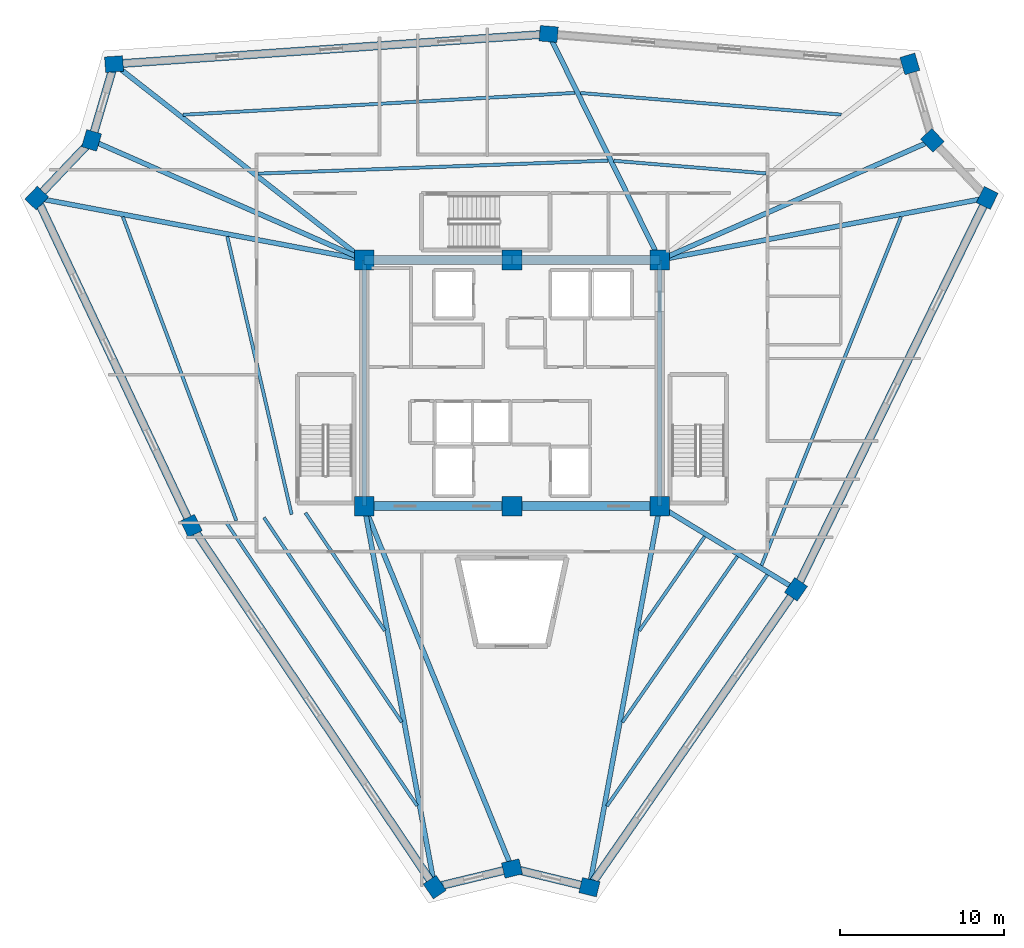
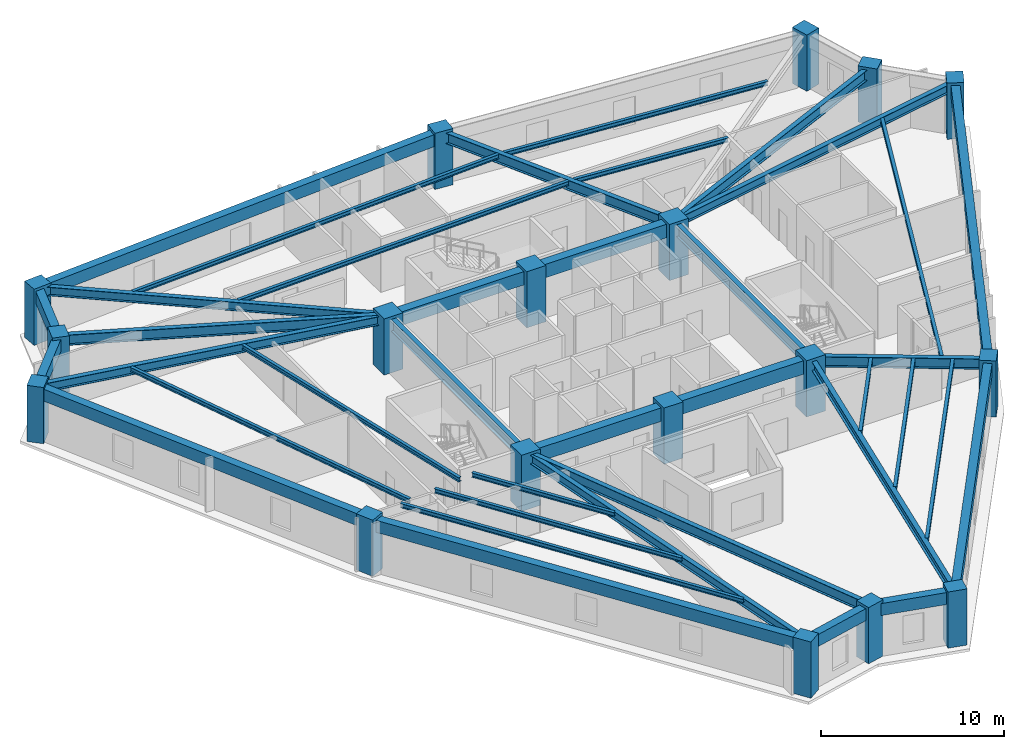
# One storey, part 1 of 8: 38 beams, 18 columns.
"""IFC4 building model written with IfcOpenShell, lengths in metres."""

from ifc_helpers import new_model, si_unit, direction, frame, origin, origin_2d, place, context, subcontext, project, spatial, rectangle, i_section, extrude, source, transform, mapped, material, material_profile, profile_set, type_object, element, save


model = new_model("IFC4")

# Units and contexts
model_context = context("Model", 3, precision=1e-05, world=origin(), true_north=direction((0.0, 1.0)))
body_context = subcontext(model_context, "Body", "Model", "MODEL_VIEW")
ifc_project = project(units=[si_unit("LENGTHUNIT", "METRE"), si_unit("AREAUNIT", "SQUARE_METRE"), si_unit("VOLUMEUNIT", "CUBIC_METRE"), si_unit("PLANEANGLEUNIT", "RADIAN"), si_unit("MASSUNIT", "GRAM", prefix="KILO")], contexts=[model_context])

# Site, building, storey
site_placement = place(None, origin())
site = spatial("IfcSite", under=ifc_project, at=site_placement, CompositionType="ELEMENT")
building_placement = place(site_placement, origin())
building = spatial("IfcBuilding", under=site, at=building_placement, Name="Liaohun Quay Tower", CompositionType="ELEMENT")
storey_placement = place(building_placement, frame((0.0, 0.0, 343.5)))
storey = spatial("IfcBuildingStorey", under=building, at=storey_placement, Name="L89", CompositionType="ELEMENT", Elevation=343.5)

# Columns
ifc_material_1 = material(Name="Concrete C50", Category="concrete")
ifc_material_profile_1 = material_profile(ifc_material_1, rectangle(XDim=1.199951171875, YDim=1.199951171875, at=origin_2d()), Name="RC1200x1200")
ifc_profile_set_1 = profile_set([ifc_material_profile_1], Name="Concrete C50")
column_type_1 = type_object("IfcColumnType", Name="COL-CC-Z4", PredefinedType="COLUMN", material=ifc_profile_set_1)
shared_shape_1 = source(origin(), body_context, "Body", "SweptSolid", [
    extrude(rectangle(XDim=1.199951171875, YDim=1.199951171875, at=origin_2d()), origin(), (0.0, 0.0, 1.0), 3.75),
])
for number, where, z_axis, x_axis, name in (
    (1, (51.0, 46.5, 0.0), (0.0, 0.0, 1.0), (1.0, 0.0, 0.0), "L89 Core Column CC1"),
    (2, (60.0, 46.5, 0.0), (0.0, 0.0, 1.0), (1.0, 0.0, 0.0), "L89 Core Column CC2"),
    (3, (69.0, 46.5, 0.0), (0.0, 0.0, 1.0), (1.0, 0.0, 0.0), "L89 Core Column CC3"),
    (4, (69.0, 61.5, 0.0), (0.0, 0.0, 1.0), (1.0, 0.0, 0.0), "L89 Core Column CC4"),
    (5, (60.0, 61.5, 0.0), (0.0, 0.0, 1.0), (1.0, 0.0, 0.0), "L89 Core Column CC5"),
    (6, (51.0, 61.5, 0.0), (0.0, 0.0, 1.0), (1.0, 0.0, 0.0), "L89 Core Column CC6"),
):
    element("IfcColumn", number, at=place(storey_placement, frame(where, z_axis=z_axis, x_axis=x_axis)), inside=storey, type_object=column_type_1, Name=name, PredefinedType="COLUMN", context=body_context, shape_type="MappedRepresentation", body=[
        mapped(shared_shape_1, transform((0.0, 0.0, 0.0), x_axis=(1.0, 0.0, 0.0), y_axis=(0.0, 1.0, 0.0), z_axis=(0.0, 0.0, 1.0), scale=1.0)),
    ])
ifc_material_profile_2 = material_profile(ifc_material_1, rectangle(XDim=1.10009765625, YDim=0.949951171875, at=origin_2d()), Name="RC1100x950")
ifc_profile_set_2 = profile_set([ifc_material_profile_2], Name="Concrete C50")
column_type_2 = type_object("IfcColumnType", Name="COL-PIER-Z4", PredefinedType="COLUMN", material=ifc_profile_set_2)
shared_shape_2 = source(origin(), body_context, "Body", "SweptSolid", [
    extrude(rectangle(XDim=1.10009765625, YDim=0.949951171875, at=origin_2d()), origin(), (0.0, 0.0, 1.0), 3.75),
])
for number, where, z_axis, x_axis, name in (
    (7, (55.29296875, 23.2939453125, 0.0), (0.0, 0.0, 1.0), (-0.558613989835, 0.829427760785, 0.0), "L89 Perimeter Pier PC01"),
    (8, (40.468994140625, 45.302978515625, 0.0), (0.0, 0.0, 1.0), (-0.426726590606, 0.904380681389, 0.0), "L89 Perimeter Pier PC02"),
    (9, (31.048095703125, 65.27001953125, 0.0), (0.0, 0.0, 1.0), (0.689493141399, 0.724292211723, 0.0), "L89 Perimeter Pier PC03"),
    (10, (34.39306640625, 68.783935546875, 0.0), (0.0, 0.0, 1.0), (0.282676303383, 0.959215360337, 0.0), "L89 Perimeter Pier PC04"),
    (11, (35.761962890625, 73.429931640625, 0.0), (0.0, 0.0, 1.0), (0.997612506361, 0.069060025714, 0.0), "L89 Perimeter Pier PC05"),
    (12, (62.23388671875, 75.262939453125, 0.0), (0.0, 0.0, 1.0), (-0.996579940078, 0.08263427276, 0.0), "L89 Perimeter Pier PC06"),
    (13, (84.235107421875, 73.43798828125, 0.0), (0.0, 0.0, 1.0), (-0.282676303383, 0.959215360337, 0.0), "L89 Perimeter Pier PC07"),
    (14, (85.60693359375, 68.783935546875, 0.0), (0.0, 0.0, 1.0), (-0.689493141399, 0.724292211723, 0.0), "L89 Perimeter Pier PC08"),
    (15, (88.946044921875, 65.27587890625, 0.0), (0.0, 0.0, 1.0), (0.438998516526, 0.898487786499, 0.0), "L89 Perimeter Pier PC09"),
    (16, (77.297119140625, 41.43408203125, 0.0), (0.0, 0.0, 1.0), (0.569853349472, 0.82174640863, 0.0), "L89 Perimeter Pier PC10"),
    (17, (64.715087890625, 23.2919921875, 0.0), (0.0, 0.0, 1.0), (-0.972043021443, 0.234802820391, 0.0), "L89 Perimeter Pier PC11"),
    (18, (60.0, 24.430908203125, 0.0), (0.0, 0.0, 1.0), (0.972043021443, 0.234802820391, 0.0), "L89 Perimeter Pier PC12"),
):
    element("IfcColumn", number, at=place(storey_placement, frame(where, z_axis=z_axis, x_axis=x_axis)), inside=storey, type_object=column_type_2, Name=name, PredefinedType="COLUMN", context=body_context, shape_type="MappedRepresentation", body=[
        mapped(shared_shape_2, transform((0.0, 0.0, 0.0), x_axis=(1.0, 0.0, 0.0), y_axis=(0.0, 1.0, 0.0), z_axis=(0.0, 0.0, 1.0), scale=1.0)),
    ])

# Beams
ifc_material_2 = material(Name="Steel Q355D", Category="steel")
ifc_material_profile_3 = material_profile(ifc_material_2, i_section(OverallWidth=0.300048828125, OverallDepth=0.800048828125, WebThickness=0.013916015625, FlangeThickness=0.02587890625, at=origin_2d()), Name="HN800x300x14x26")
ifc_profile_set_3 = profile_set([ifc_material_profile_3], Name="Steel Q355D")
beam_type_1 = type_object("IfcBeamType", Name="BM-RAD-M1", PredefinedType="BEAM", material=ifc_profile_set_3)
shared_shape_3 = source(origin(), body_context, "Body", "SweptSolid", [
    extrude(i_section(OverallWidth=0.300048828125, OverallDepth=0.800048828125, WebThickness=0.013916015625, FlangeThickness=0.02587890625, at=origin_2d()), origin(), (0.0, 0.0, 1.0), 15.0),
])
for number, where, z_axis, x_axis, name in (
    (19, (69.0, 46.5, 3.169921875), (0.0, 1.0, 0.0), (-1.0, 0.0, 0.0), "L89 Core Coupling/Ring Beam CC3-CC4"),
    (20, (51.0, 61.5, 3.169921875), (0.0, -1.0, 0.0), (1.0, 0.0, 0.0), "L89 Core Coupling/Ring Beam CC6-CC1"),
):
    element("IfcBeam", number, at=place(storey_placement, frame(where, z_axis=z_axis, x_axis=x_axis)), inside=storey, type_object=beam_type_1, Name=name, PredefinedType="BEAM", context=body_context, shape_type="MappedRepresentation", body=[
        mapped(shared_shape_3, transform((0.0, 0.0, 0.0), x_axis=(1.0, 0.0, 0.0), y_axis=(0.0, 1.0, 0.0), z_axis=(0.0, 0.0, 1.0), scale=1.0)),
    ])
ifc_material_3 = material(Name="Concrete C55", Category="concrete")
ifc_material_profile_4 = material_profile(ifc_material_3, rectangle(XDim=0.550048828125, YDim=0.89990234375, at=origin_2d()), Name="RC550x900")
ifc_profile_set_4 = profile_set([ifc_material_profile_4], Name="Concrete C55")
beam_type_2 = type_object("IfcBeamType", Name="BM-CPL-2", PredefinedType="LINTEL", material=ifc_profile_set_4)
shared_shape_4 = source(origin(), body_context, "Body", "SweptSolid", [
    extrude(rectangle(XDim=0.550048828125, YDim=0.89990234375, at=origin_2d()), origin(), (0.0, 0.0, 1.0), 9.0),
])
for number, where, z_axis, x_axis, name in (
    (21, (51.0, 46.5, 3.1201171875), (1.0, 0.0, 0.0), (0.0, 1.0, 0.0), "L89 Core Coupling/Ring Beam CC1-CC2"),
    (22, (60.0, 46.5, 3.1201171875), (1.0, 0.0, 0.0), (0.0, 1.0, 0.0), "L89 Core Coupling/Ring Beam CC2-CC3"),
    (23, (69.0, 61.5, 3.1201171875), (-1.0, 0.0, 0.0), (0.0, -1.0, 0.0), "L89 Core Coupling/Ring Beam CC4-CC5"),
    (24, (60.0, 61.5, 3.1201171875), (-1.0, 0.0, 0.0), (0.0, -1.0, 0.0), "L89 Core Coupling/Ring Beam CC5-CC6"),
):
    element("IfcBeam", number, at=place(storey_placement, frame(where, z_axis=z_axis, x_axis=x_axis)), inside=storey, type_object=beam_type_2, Name=name, PredefinedType="LINTEL", context=body_context, shape_type="MappedRepresentation", body=[
        mapped(shared_shape_4, transform((0.0, 0.0, 0.0), x_axis=(1.0, 0.0, 0.0), y_axis=(0.0, 1.0, 0.0), z_axis=(0.0, 0.0, 1.0), scale=1.0)),
    ])
ifc_material_profile_5 = material_profile(ifc_material_2, i_section(OverallWidth=0.300048828125, OverallDepth=0.587890625, WebThickness=0.011962890625, FlangeThickness=0.02001953125, at=origin_2d()), Name="HM588x300x12x20")
ifc_profile_set_5 = profile_set([ifc_material_profile_5], Name="Steel Q355D")
beam_type_3 = type_object("IfcBeamType", Name="BM-RAD-U2", PredefinedType="BEAM", material=ifc_profile_set_5)
shared_shape_5 = source(origin(), body_context, "Body", "SweptSolid", [
    extrude(i_section(OverallWidth=0.300048828125, OverallDepth=0.587890625, WebThickness=0.011962890625, FlangeThickness=0.02001953125, at=origin_2d()), origin(), (0.0, 0.0, 1.0), 23.599853515625),
])
beam_1_placement = place(storey_placement, frame((51.0, 46.5, 3.27587890625), z_axis=(0.181906997941, -0.98331573978, 0.0), x_axis=(0.98331573978, 0.181906997941, 0.0)))
element("IfcBeam", 25, at=beam_1_placement, inside=storey, type_object=beam_type_3, Name="L89 Radial Primary Girder CC1-PC01", PredefinedType="BEAM", context=body_context, shape_type="MappedRepresentation", body=[
    mapped(shared_shape_5, transform((0.0, 0.0, 0.0), x_axis=(1.0, 0.0, 0.0), y_axis=(0.0, 1.0, 0.0), z_axis=(0.0, 0.0, 1.0), scale=1.0)),
])
shared_shape_6 = source(origin(), body_context, "Body", "SweptSolid", [
    extrude(i_section(OverallWidth=0.300048828125, OverallDepth=0.587890625, WebThickness=0.011962890625, FlangeThickness=0.02001953125, at=origin_2d()), origin(), (0.0, 0.0, 1.0), 20.304931640625),
])
beam_2_placement = place(storey_placement, frame((51.0, 61.5, 3.27587890625), z_axis=(-0.982612184872, 0.185669852536, 0.0), x_axis=(-0.185669852536, -0.982612184872, 0.0)))
element("IfcBeam", 26, at=beam_2_placement, inside=storey, type_object=beam_type_3, Name="L89 Radial Primary Girder CC6-PC03", PredefinedType="BEAM", context=body_context, shape_type="MappedRepresentation", body=[
    mapped(shared_shape_6, transform((0.0, 0.0, 0.0), x_axis=(1.0, 0.0, 0.0), y_axis=(0.0, 1.0, 0.0), z_axis=(0.0, 0.0, 1.0), scale=1.0)),
])
ifc_material_profile_6 = material_profile(ifc_material_2, i_section(OverallWidth=0.300048828125, OverallDepth=0.699951171875, WebThickness=0.012939453125, FlangeThickness=0.02392578125, at=origin_2d()), Name="HN700x300x13x24")
ifc_profile_set_6 = profile_set([ifc_material_profile_6], Name="Steel Q355D")
beam_type_4 = type_object("IfcBeamType", Name="BM-RAD-U1", PredefinedType="BEAM", material=ifc_profile_set_6)
shared_shape_7 = source(origin(), body_context, "Body", "SweptSolid", [
    extrude(i_section(OverallWidth=0.300048828125, OverallDepth=0.699951171875, WebThickness=0.012939453125, FlangeThickness=0.02392578125, at=origin_2d()), origin(), (0.0, 0.0, 1.0), 18.134033203125),
])
for number, where, z_axis, x_axis, name in (
    (27, (51.0, 61.5, 3.219970703125), (-0.915784299111, 0.401670409044, 0.0), (-0.401670409044, -0.915784299111, 0.0), "L89 Radial Primary Girder CC6-PC04"),
    (28, (69.0, 61.5, 3.219970703125), (0.915784299111, 0.401670409044, 0.0), (-0.401670409044, 0.915784299111, 0.0), "L89 Radial Primary Girder CC4-PC08"),
):
    element("IfcBeam", number, at=place(storey_placement, frame(where, z_axis=z_axis, x_axis=x_axis)), inside=storey, type_object=beam_type_4, Name=name, PredefinedType="BEAM", context=body_context, shape_type="MappedRepresentation", body=[
        mapped(shared_shape_7, transform((0.0, 0.0, 0.0), x_axis=(1.0, 0.0, 0.0), y_axis=(0.0, 1.0, 0.0), z_axis=(0.0, 0.0, 1.0), scale=1.0)),
    ])
shared_shape_8 = source(origin(), body_context, "Body", "SweptSolid", [
    extrude(i_section(OverallWidth=0.300048828125, OverallDepth=0.587890625, WebThickness=0.011962890625, FlangeThickness=0.02001953125, at=origin_2d()), origin(), (0.0, 0.0, 1.0), 19.3525390625),
])
beam_3_placement = place(storey_placement, frame((51.0, 61.5, 3.27587890625), z_axis=(-0.787391848215, 0.616452818442, 0.0), x_axis=(-0.616452818442, -0.787391848215, 0.0)))
element("IfcBeam", 29, at=beam_3_placement, inside=storey, type_object=beam_type_3, Name="L89 Radial Primary Girder CC6-PC05", PredefinedType="BEAM", context=body_context, shape_type="MappedRepresentation", body=[
    mapped(shared_shape_8, transform((0.0, 0.0, 0.0), x_axis=(1.0, 0.0, 0.0), y_axis=(0.0, 1.0, 0.0), z_axis=(0.0, 0.0, 1.0), scale=1.0)),
])
shared_shape_9 = source(origin(), body_context, "Body", "SweptSolid", [
    extrude(i_section(OverallWidth=0.300048828125, OverallDepth=0.699951171875, WebThickness=0.012939453125, FlangeThickness=0.02392578125, at=origin_2d()), origin(), (0.0, 0.0, 1.0), 15.336181640625),
])
beam_4_placement = place(storey_placement, frame((69.0, 61.5, 3.219970703125), z_axis=(-0.441185999181, 0.897415686361, 0.0), x_axis=(-0.897415686361, -0.441185999181, 0.0)))
element("IfcBeam", 30, at=beam_4_placement, inside=storey, type_object=beam_type_4, Name="L89 Radial Primary Girder CC4-PC06", PredefinedType="BEAM", context=body_context, shape_type="MappedRepresentation", body=[
    mapped(shared_shape_9, transform((0.0, 0.0, 0.0), x_axis=(1.0, 0.0, 0.0), y_axis=(0.0, 1.0, 0.0), z_axis=(0.0, 0.0, 1.0), scale=1.0)),
])
shared_shape_10 = source(origin(), body_context, "Body", "SweptSolid", [
    extrude(i_section(OverallWidth=0.300048828125, OverallDepth=0.587890625, WebThickness=0.011962890625, FlangeThickness=0.02001953125, at=origin_2d()), origin(), (0.0, 0.0, 1.0), 20.30029296875),
])
beam_5_placement = place(storey_placement, frame((69.0, 61.5, 3.27587890625), z_axis=(0.982549519823, 0.186001185738, 0.0), x_axis=(-0.186001185738, 0.982549519823, 0.0)))
element("IfcBeam", 31, at=beam_5_placement, inside=storey, type_object=beam_type_3, Name="L89 Radial Primary Girder CC4-PC09", PredefinedType="BEAM", context=body_context, shape_type="MappedRepresentation", body=[
    mapped(shared_shape_10, transform((0.0, 0.0, 0.0), x_axis=(1.0, 0.0, 0.0), y_axis=(0.0, 1.0, 0.0), z_axis=(0.0, 0.0, 1.0), scale=1.0)),
])
shared_shape_11 = source(origin(), body_context, "Body", "SweptSolid", [
    extrude(i_section(OverallWidth=0.300048828125, OverallDepth=0.699951171875, WebThickness=0.012939453125, FlangeThickness=0.02392578125, at=origin_2d()), origin(), (0.0, 0.0, 1.0), 9.721435546875),
])
beam_6_placement = place(storey_placement, frame((69.0, 46.5, 3.219970703125), z_axis=(0.853489729957, -0.521109662987, 0.0), x_axis=(0.521109662987, 0.853489729957, 0.0)))
element("IfcBeam", 32, at=beam_6_placement, inside=storey, type_object=beam_type_4, Name="L89 Radial Primary Girder CC3-PC10", PredefinedType="BEAM", context=body_context, shape_type="MappedRepresentation", body=[
    mapped(shared_shape_11, transform((0.0, 0.0, 0.0), x_axis=(1.0, 0.0, 0.0), y_axis=(0.0, 1.0, 0.0), z_axis=(0.0, 0.0, 1.0), scale=1.0)),
])
shared_shape_12 = source(origin(), body_context, "Body", "SweptSolid", [
    extrude(i_section(OverallWidth=0.300048828125, OverallDepth=0.587890625, WebThickness=0.011962890625, FlangeThickness=0.02001953125, at=origin_2d()), origin(), (0.0, 0.0, 1.0), 23.600341796875),
])
beam_7_placement = place(storey_placement, frame((69.0, 46.5, 3.27587890625), z_axis=(-0.181562100476, -0.98337948101, 0.0), x_axis=(0.98337948101, -0.181562100476, 0.0)))
element("IfcBeam", 33, at=beam_7_placement, inside=storey, type_object=beam_type_3, Name="L89 Radial Primary Girder CC3-PC11", PredefinedType="BEAM", context=body_context, shape_type="MappedRepresentation", body=[
    mapped(shared_shape_12, transform((0.0, 0.0, 0.0), x_axis=(1.0, 0.0, 0.0), y_axis=(0.0, 1.0, 0.0), z_axis=(0.0, 0.0, 1.0), scale=1.0)),
])
shared_shape_13 = source(origin(), body_context, "Body", "SweptSolid", [
    extrude(i_section(OverallWidth=0.300048828125, OverallDepth=0.699951171875, WebThickness=0.012939453125, FlangeThickness=0.02392578125, at=origin_2d()), origin(), (0.0, 0.0, 1.0), 23.833740234375),
])
beam_8_placement = place(storey_placement, frame((51.0, 46.5, 3.219970703125), z_axis=(0.377616715366, -0.92596199505, 0.0), x_axis=(0.92596199505, 0.377616715366, 0.0)))
element("IfcBeam", 34, at=beam_8_placement, inside=storey, type_object=beam_type_4, Name="L89 Radial Primary Girder CC1-PC12", PredefinedType="BEAM", context=body_context, shape_type="MappedRepresentation", body=[
    mapped(shared_shape_13, transform((0.0, 0.0, 0.0), x_axis=(1.0, 0.0, 0.0), y_axis=(0.0, 1.0, 0.0), z_axis=(0.0, 0.0, 1.0), scale=1.0)),
])
ifc_material_profile_7 = material_profile(ifc_material_2, i_section(OverallWidth=0.199951171875, OverallDepth=0.2939453125, WebThickness=0.008056640625, FlangeThickness=0.011962890625, at=origin_2d()), Name="HM294x200x8x12")
ifc_profile_set_7 = profile_set([ifc_material_profile_7], Name="Steel Q355D")
beam_type_5 = type_object("IfcBeamType", Name="BM-SEC-J4", PredefinedType="JOIST", material=ifc_profile_set_7)
shared_shape_14 = source(origin(), body_context, "Body", "SweptSolid", [
    extrude(i_section(OverallWidth=0.199951171875, OverallDepth=0.2939453125, WebThickness=0.008056640625, FlangeThickness=0.011962890625, at=origin_2d()), origin(), (0.0, 0.0, 1.0), 8.64599609375),
])
beam_9_placement = place(storey_placement, frame((52.2490234375, 38.922119140625, 3.423095703125), z_axis=(-0.558655882826, 0.8293995446, 0.0), x_axis=(-0.8293995446, -0.558655882826, 0.0)))
element("IfcBeam", 35, at=beam_9_placement, inside=storey, type_object=beam_type_5, Name="L89 Wing Secondary Floor Joist SJ-01", PredefinedType="JOIST", context=body_context, shape_type="MappedRepresentation", body=[
    mapped(shared_shape_14, transform((0.0, 0.0, 0.0), x_axis=(1.0, 0.0, 0.0), y_axis=(0.0, 1.0, 0.0), z_axis=(0.0, 0.0, 1.0), scale=1.0)),
])
shared_shape_15 = source(origin(), body_context, "Body", "SweptSolid", [
    extrude(i_section(OverallWidth=0.199951171875, OverallDepth=0.2939453125, WebThickness=0.008056640625, FlangeThickness=0.011962890625, at=origin_2d()), origin(), (0.0, 0.0, 1.0), 15.014404296875),
])
beam_10_placement = place(storey_placement, frame((53.280029296875, 33.35302734375, 3.423095703125), z_axis=(-0.558660192246, 0.829396641903, 0.0), x_axis=(-0.829396641903, -0.558660192246, 0.0)))
element("IfcBeam", 36, at=beam_10_placement, inside=storey, type_object=beam_type_5, Name="L89 Wing Secondary Floor Joist SJ-02", PredefinedType="JOIST", context=body_context, shape_type="MappedRepresentation", body=[
    mapped(shared_shape_15, transform((0.0, 0.0, 0.0), x_axis=(1.0, 0.0, 0.0), y_axis=(0.0, 1.0, 0.0), z_axis=(0.0, 0.0, 1.0), scale=1.0)),
])
shared_shape_16 = source(origin(), body_context, "Body", "SweptSolid", [
    extrude(i_section(OverallWidth=0.199951171875, OverallDepth=0.2939453125, WebThickness=0.008056640625, FlangeThickness=0.011962890625, at=origin_2d()), origin(), (0.0, 0.0, 1.0), 20.852294921875),
])
beam_11_placement = place(storey_placement, frame((54.22412109375, 28.2470703125, 3.423095703125), z_axis=(-0.558652159072, 0.829402052785, 0.0), x_axis=(-0.829402052785, -0.558652159072, 0.0)))
element("IfcBeam", 37, at=beam_11_placement, inside=storey, type_object=beam_type_5, Name="L89 Wing Secondary Floor Joist SJ-03", PredefinedType="JOIST", context=body_context, shape_type="MappedRepresentation", body=[
    mapped(shared_shape_16, transform((0.0, 0.0, 0.0), x_axis=(1.0, 0.0, 0.0), y_axis=(0.0, 1.0, 0.0), z_axis=(0.0, 0.0, 1.0), scale=1.0)),
])
shared_shape_17 = source(origin(), body_context, "Body", "SweptSolid", [
    extrude(i_section(OverallWidth=0.199951171875, OverallDepth=0.2939453125, WebThickness=0.008056640625, FlangeThickness=0.011962890625, at=origin_2d()), origin(), (0.0, 0.0, 1.0), 17.375),
])
beam_12_placement = place(storey_placement, frame((46.576904296875, 45.9970703125, 3.423095703125), z_axis=(-0.225607553343, 0.974218267061, 0.0), x_axis=(-0.974218267061, -0.225607553343, 0.0)))
element("IfcBeam", 38, at=beam_12_placement, inside=storey, type_object=beam_type_5, Name="L89 Wing Secondary Floor Joist SJ-04", PredefinedType="JOIST", context=body_context, shape_type="MappedRepresentation", body=[
    mapped(shared_shape_17, transform((0.0, 0.0, 0.0), x_axis=(1.0, 0.0, 0.0), y_axis=(0.0, 1.0, 0.0), z_axis=(0.0, 0.0, 1.0), scale=1.0)),
])
shared_shape_18 = source(origin(), body_context, "Body", "SweptSolid", [
    extrude(i_section(OverallWidth=0.199951171875, OverallDepth=0.2939453125, WebThickness=0.008056640625, FlangeThickness=0.011962890625, at=origin_2d()), origin(), (0.0, 0.0, 1.0), 19.759521484375),
])
beam_13_placement = place(storey_placement, frame((43.20703125, 45.614013671875, 3.423095703125), z_axis=(-0.349699944184, 0.936861755564, 0.0), x_axis=(-0.936861755564, -0.349699944184, 0.0)))
element("IfcBeam", 39, at=beam_13_placement, inside=storey, type_object=beam_type_5, Name="L89 Wing Secondary Floor Joist SJ-05", PredefinedType="JOIST", context=body_context, shape_type="MappedRepresentation", body=[
    mapped(shared_shape_18, transform((0.0, 0.0, 0.0), x_axis=(1.0, 0.0, 0.0), y_axis=(0.0, 1.0, 0.0), z_axis=(0.0, 0.0, 1.0), scale=1.0)),
])
shared_shape_19 = source(origin(), body_context, "Body", "SweptSolid", [
    extrude(i_section(OverallWidth=0.199951171875, OverallDepth=0.2939453125, WebThickness=0.008056640625, FlangeThickness=0.011962890625, at=origin_2d()), origin(), (0.0, 0.0, 1.0), 21.345458984375),
])
beam_14_placement = place(storey_placement, frame((44.528076171875, 66.758056640625, 3.423095703125), z_axis=(0.999311429617, 0.037103458558, 0.0), x_axis=(-0.037103458558, 0.999311429617, 0.0)))
element("IfcBeam", 40, at=beam_14_placement, inside=storey, type_object=beam_type_5, Name="L89 Wing Secondary Floor Joist SJ-06", PredefinedType="JOIST", context=body_context, shape_type="MappedRepresentation", body=[
    mapped(shared_shape_19, transform((0.0, 0.0, 0.0), x_axis=(1.0, 0.0, 0.0), y_axis=(0.0, 1.0, 0.0), z_axis=(0.0, 0.0, 1.0), scale=1.0)),
])
shared_shape_20 = source(origin(), body_context, "Body", "SweptSolid", [
    extrude(i_section(OverallWidth=0.199951171875, OverallDepth=0.2939453125, WebThickness=0.008056640625, FlangeThickness=0.011962890625, at=origin_2d()), origin(), (0.0, 0.0, 1.0), 23.91650390625),
])
beam_15_placement = place(storey_placement, frame((39.950927734375, 70.341064453125, 3.423095703125), z_axis=(0.998440975857, 0.055817718778, 0.0), x_axis=(-0.055817718778, 0.998440975857, 0.0)))
element("IfcBeam", 41, at=beam_15_placement, inside=storey, type_object=beam_type_5, Name="L89 Wing Secondary Floor Joist SJ-07", PredefinedType="JOIST", context=body_context, shape_type="MappedRepresentation", body=[
    mapped(shared_shape_20, transform((0.0, 0.0, 0.0), x_axis=(1.0, 0.0, 0.0), y_axis=(0.0, 1.0, 0.0), z_axis=(0.0, 0.0, 1.0), scale=1.0)),
])
shared_shape_21 = source(origin(), body_context, "Body", "SweptSolid", [
    extrude(i_section(OverallWidth=0.199951171875, OverallDepth=0.2939453125, WebThickness=0.008056640625, FlangeThickness=0.011962890625, at=origin_2d()), origin(), (0.0, 0.0, 1.0), 9.31787109375),
])
beam_16_placement = place(storey_placement, frame((66.197021484375, 67.541015625, 3.423095703125), z_axis=(0.996579466831, -0.082639979976, 0.0), x_axis=(0.082639979976, 0.996579466831, 0.0)))
element("IfcBeam", 42, at=beam_16_placement, inside=storey, type_object=beam_type_5, Name="L89 Wing Secondary Floor Joist SJ-08", PredefinedType="JOIST", context=body_context, shape_type="MappedRepresentation", body=[
    mapped(shared_shape_21, transform((0.0, 0.0, 0.0), x_axis=(1.0, 0.0, 0.0), y_axis=(0.0, 1.0, 0.0), z_axis=(0.0, 0.0, 1.0), scale=1.0)),
])
shared_shape_22 = source(origin(), body_context, "Body", "SweptSolid", [
    extrude(i_section(OverallWidth=0.199951171875, OverallDepth=0.2939453125, WebThickness=0.008056640625, FlangeThickness=0.011962890625, at=origin_2d()), origin(), (0.0, 0.0, 1.0), 15.941650390625),
])
beam_17_placement = place(storey_placement, frame((64.1669921875, 71.669921875, 3.423095703125), z_axis=(0.996577055994, -0.082669047812, 0.0), x_axis=(0.082669047812, 0.996577055994, 0.0)))
element("IfcBeam", 43, at=beam_17_placement, inside=storey, type_object=beam_type_5, Name="L89 Wing Secondary Floor Joist SJ-09", PredefinedType="JOIST", context=body_context, shape_type="MappedRepresentation", body=[
    mapped(shared_shape_22, transform((0.0, 0.0, 0.0), x_axis=(1.0, 0.0, 0.0), y_axis=(0.0, 1.0, 0.0), z_axis=(0.0, 0.0, 1.0), scale=1.0)),
])
shared_shape_23 = source(origin(), body_context, "Body", "SweptSolid", [
    extrude(i_section(OverallWidth=0.199951171875, OverallDepth=0.2939453125, WebThickness=0.008056640625, FlangeThickness=0.011962890625, at=origin_2d()), origin(), (0.0, 0.0, 1.0), 22.8740234375),
])
beam_18_placement = place(storey_placement, frame((83.694091796875, 64.12890625, 3.423095703125), z_axis=(-0.371515808082, -0.928426628413, 0.0), x_axis=(0.928426628413, -0.371515808082, 0.0)))
element("IfcBeam", 44, at=beam_18_placement, inside=storey, type_object=beam_type_5, Name="L89 Wing Secondary Floor Joist SJ-11", PredefinedType="JOIST", context=body_context, shape_type="MappedRepresentation", body=[
    mapped(shared_shape_23, transform((0.0, 0.0, 0.0), x_axis=(1.0, 0.0, 0.0), y_axis=(0.0, 1.0, 0.0), z_axis=(0.0, 0.0, 1.0), scale=1.0)),
])
shared_shape_24 = source(origin(), body_context, "Body", "SweptSolid", [
    extrude(i_section(OverallWidth=0.199951171875, OverallDepth=0.2939453125, WebThickness=0.008056640625, FlangeThickness=0.011962890625, at=origin_2d()), origin(), (0.0, 0.0, 1.0), 6.991455078125),
])
beam_19_placement = place(storey_placement, frame((71.735107421875, 44.654052734375, 3.423095703125), z_axis=(-0.569861689004, -0.821740625384, 0.0), x_axis=(0.821740625384, -0.569861689004, 0.0)))
element("IfcBeam", 45, at=beam_19_placement, inside=storey, type_object=beam_type_5, Name="L89 Wing Secondary Floor Joist SJ-12", PredefinedType="JOIST", context=body_context, shape_type="MappedRepresentation", body=[
    mapped(shared_shape_24, transform((0.0, 0.0, 0.0), x_axis=(1.0, 0.0, 0.0), y_axis=(0.0, 1.0, 0.0), z_axis=(0.0, 0.0, 1.0), scale=1.0)),
])
shared_shape_25 = source(origin(), body_context, "Body", "SweptSolid", [
    extrude(i_section(OverallWidth=0.199951171875, OverallDepth=0.2939453125, WebThickness=0.008056640625, FlangeThickness=0.011962890625, at=origin_2d()), origin(), (0.0, 0.0, 1.0), 12.2900390625),
])
beam_20_placement = place(storey_placement, frame((73.72705078125, 43.43798828125, 3.423095703125), z_axis=(-0.569903934807, -0.821711327104, 0.0), x_axis=(0.821711327104, -0.569903934807, 0.0)))
element("IfcBeam", 46, at=beam_20_placement, inside=storey, type_object=beam_type_5, Name="L89 Wing Secondary Floor Joist SJ-13", PredefinedType="JOIST", context=body_context, shape_type="MappedRepresentation", body=[
    mapped(shared_shape_25, transform((0.0, 0.0, 0.0), x_axis=(1.0, 0.0, 0.0), y_axis=(0.0, 1.0, 0.0), z_axis=(0.0, 0.0, 1.0), scale=1.0)),
])
shared_shape_26 = source(origin(), body_context, "Body", "SweptSolid", [
    extrude(i_section(OverallWidth=0.199951171875, OverallDepth=0.2939453125, WebThickness=0.008056640625, FlangeThickness=0.011962890625, at=origin_2d()), origin(), (0.0, 0.0, 1.0), 17.14794921875),
])
beam_21_placement = place(storey_placement, frame((75.552001953125, 42.323974609375, 3.423095703125), z_axis=(-0.569865001895, -0.821738327946, 0.0), x_axis=(0.821738327946, -0.569865001895, 0.0)))
element("IfcBeam", 47, at=beam_21_placement, inside=storey, type_object=beam_type_5, Name="L89 Wing Secondary Floor Joist SJ-14", PredefinedType="JOIST", context=body_context, shape_type="MappedRepresentation", body=[
    mapped(shared_shape_26, transform((0.0, 0.0, 0.0), x_axis=(1.0, 0.0, 0.0), y_axis=(0.0, 1.0, 0.0), z_axis=(0.0, 0.0, 1.0), scale=1.0)),
])
ifc_material_4 = material(Name="Precast concrete C50", Category="concrete")
ifc_material_profile_8 = material_profile(ifc_material_4, rectangle(XDim=0.5, YDim=0.800048828125, at=origin_2d()), Name="RC500x800")
ifc_profile_set_8 = profile_set([ifc_material_profile_8], Name="Precast concrete C50")
beam_type_6 = type_object("IfcBeamType", Name="BM-SPD-Z4", PredefinedType="SPANDREL", material=ifc_profile_set_8)
shared_shape_27 = source(origin(), body_context, "Body", "SweptSolid", [
    extrude(rectangle(XDim=0.5, YDim=0.800048828125, at=origin_2d()), origin(), (0.0, 0.0, 1.0), 26.535888671875),
])
beam_22_placement = place(storey_placement, frame((55.29296875, 23.2939453125, 3.169921875), z_axis=(-0.558640939792, 0.829409609534, 0.0), x_axis=(-0.829409609534, -0.558640939792, 0.0)))
element("IfcBeam", 48, at=beam_22_placement, inside=storey, type_object=beam_type_6, Name="L89 Precast Spandrel Beam PC01-PC02", PredefinedType="SPANDREL", context=body_context, shape_type="MappedRepresentation", body=[
    mapped(shared_shape_27, transform((0.0, 0.0, 0.0), x_axis=(1.0, 0.0, 0.0), y_axis=(0.0, 1.0, 0.0), z_axis=(0.0, 0.0, 1.0), scale=1.0)),
])
shared_shape_28 = source(origin(), body_context, "Body", "SweptSolid", [
    extrude(rectangle(XDim=0.5, YDim=0.800048828125, at=origin_2d()), origin(), (0.0, 0.0, 1.0), 22.077880859375),
])
beam_23_placement = place(storey_placement, frame((40.468994140625, 45.302978515625, 3.169921875), z_axis=(-0.426710664555, 0.904388195829, 0.0), x_axis=(-0.904388195829, -0.426710664555, 0.0)))
element("IfcBeam", 49, at=beam_23_placement, inside=storey, type_object=beam_type_6, Name="L89 Precast Spandrel Beam PC02-PC03", PredefinedType="SPANDREL", context=body_context, shape_type="MappedRepresentation", body=[
    mapped(shared_shape_28, transform((0.0, 0.0, 0.0), x_axis=(1.0, 0.0, 0.0), y_axis=(0.0, 1.0, 0.0), z_axis=(0.0, 0.0, 1.0), scale=1.0)),
])
shared_shape_29 = source(origin(), body_context, "Body", "SweptSolid", [
    extrude(rectangle(XDim=0.5, YDim=0.800048828125, at=origin_2d()), origin(), (0.0, 0.0, 1.0), 4.851318359375),
])
beam_24_placement = place(storey_placement, frame((31.048095703125, 65.27001953125, 3.169921875), z_axis=(0.689480486578, 0.724304258325, 0.0), x_axis=(-0.724304258325, 0.689480486578, 0.0)))
element("IfcBeam", 50, at=beam_24_placement, inside=storey, type_object=beam_type_6, Name="L89 Precast Spandrel Beam PC03-PC04", PredefinedType="SPANDREL", context=body_context, shape_type="MappedRepresentation", body=[
    mapped(shared_shape_29, transform((0.0, 0.0, 0.0), x_axis=(1.0, 0.0, 0.0), y_axis=(0.0, 1.0, 0.0), z_axis=(0.0, 0.0, 1.0), scale=1.0)),
])
shared_shape_30 = source(origin(), body_context, "Body", "SweptSolid", [
    extrude(rectangle(XDim=0.5, YDim=0.800048828125, at=origin_2d()), origin(), (0.0, 0.0, 1.0), 4.843505859375),
])
beam_25_placement = place(storey_placement, frame((34.39306640625, 68.783935546875, 3.169921875), z_axis=(0.282627491947, 0.95922974349, 0.0), x_axis=(-0.95922974349, 0.282627491947, 0.0)))
element("IfcBeam", 51, at=beam_25_placement, inside=storey, type_object=beam_type_6, Name="L89 Precast Spandrel Beam PC04-PC05", PredefinedType="SPANDREL", context=body_context, shape_type="MappedRepresentation", body=[
    mapped(shared_shape_30, transform((0.0, 0.0, 0.0), x_axis=(1.0, 0.0, 0.0), y_axis=(0.0, 1.0, 0.0), z_axis=(0.0, 0.0, 1.0), scale=1.0)),
])
shared_shape_31 = source(origin(), body_context, "Body", "SweptSolid", [
    extrude(rectangle(XDim=0.5, YDim=0.800048828125, at=origin_2d()), origin(), (0.0, 0.0, 1.0), 26.535400390625),
])
for number, where, z_axis, x_axis, name in (
    (52, (35.761962890625, 73.429931640625, 3.169921875), (0.997611257543, 0.069078063264, 0.0), (-0.069078063264, 0.997611257543, 0.0), "L89 Precast Spandrel Beam PC05-PC06"),
    (53, (88.946044921875, 65.27587890625, 3.169921875), (-0.438995268707, -0.898489373367, 0.0), (0.898489373367, -0.438995268707, 0.0), "L89 Precast Spandrel Beam PC09-PC10"),
):
    element("IfcBeam", number, at=place(storey_placement, frame(where, z_axis=z_axis, x_axis=x_axis)), inside=storey, type_object=beam_type_6, Name=name, PredefinedType="SPANDREL", context=body_context, shape_type="MappedRepresentation", body=[
        mapped(shared_shape_31, transform((0.0, 0.0, 0.0), x_axis=(1.0, 0.0, 0.0), y_axis=(0.0, 1.0, 0.0), z_axis=(0.0, 0.0, 1.0), scale=1.0)),
    ])
shared_shape_32 = source(origin(), body_context, "Body", "SweptSolid", [
    extrude(rectangle(XDim=0.5, YDim=0.800048828125, at=origin_2d()), origin(), (0.0, 0.0, 1.0), 22.078125),
])
beam_26_placement = place(storey_placement, frame((77.297119140625, 41.43408203125, 3.169921875), z_axis=(-0.569887156963, -0.821722963248, 0.0), x_axis=(0.821722963248, -0.569887156963, 0.0)))
element("IfcBeam", 54, at=beam_26_placement, inside=storey, type_object=beam_type_6, Name="L89 Precast Spandrel Beam PC10-PC11", PredefinedType="SPANDREL", context=body_context, shape_type="MappedRepresentation", body=[
    mapped(shared_shape_32, transform((0.0, 0.0, 0.0), x_axis=(1.0, 0.0, 0.0), y_axis=(0.0, 1.0, 0.0), z_axis=(0.0, 0.0, 1.0), scale=1.0)),
])
shared_shape_33 = source(origin(), body_context, "Body", "SweptSolid", [
    extrude(rectangle(XDim=0.5, YDim=0.800048828125, at=origin_2d()), origin(), (0.0, 0.0, 1.0), 4.8505859375),
])
beam_27_placement = place(storey_placement, frame((64.715087890625, 23.2919921875, 3.169921875), z_axis=(-0.972044985249, 0.234794690425, 0.0), x_axis=(-0.234794690425, -0.972044985249, 0.0)))
element("IfcBeam", 55, at=beam_27_placement, inside=storey, type_object=beam_type_6, Name="L89 Precast Spandrel Beam PC11-PC12", PredefinedType="SPANDREL", context=body_context, shape_type="MappedRepresentation", body=[
    mapped(shared_shape_33, transform((0.0, 0.0, 0.0), x_axis=(1.0, 0.0, 0.0), y_axis=(0.0, 1.0, 0.0), z_axis=(0.0, 0.0, 1.0), scale=1.0)),
])
shared_shape_34 = source(origin(), body_context, "Body", "SweptSolid", [
    extrude(rectangle(XDim=0.5, YDim=0.800048828125, at=origin_2d()), origin(), (0.0, 0.0, 1.0), 4.84228515625),
])
beam_28_placement = place(storey_placement, frame((60.0, 24.430908203125, 3.169921875), z_axis=(-0.972045318303, -0.234793311584, 0.0), x_axis=(0.234793311584, -0.972045318303, 0.0)))
element("IfcBeam", 56, at=beam_28_placement, inside=storey, type_object=beam_type_6, Name="L89 Precast Spandrel Beam PC12-PC01", PredefinedType="SPANDREL", context=body_context, shape_type="MappedRepresentation", body=[
    mapped(shared_shape_34, transform((0.0, 0.0, 0.0), x_axis=(1.0, 0.0, 0.0), y_axis=(0.0, 1.0, 0.0), z_axis=(0.0, 0.0, 1.0), scale=1.0)),
])

save(model, "model.ifc")
